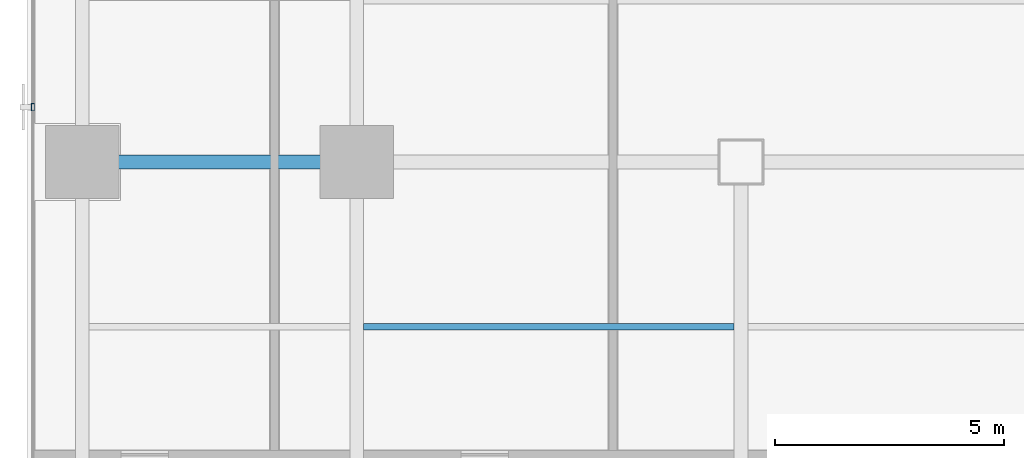
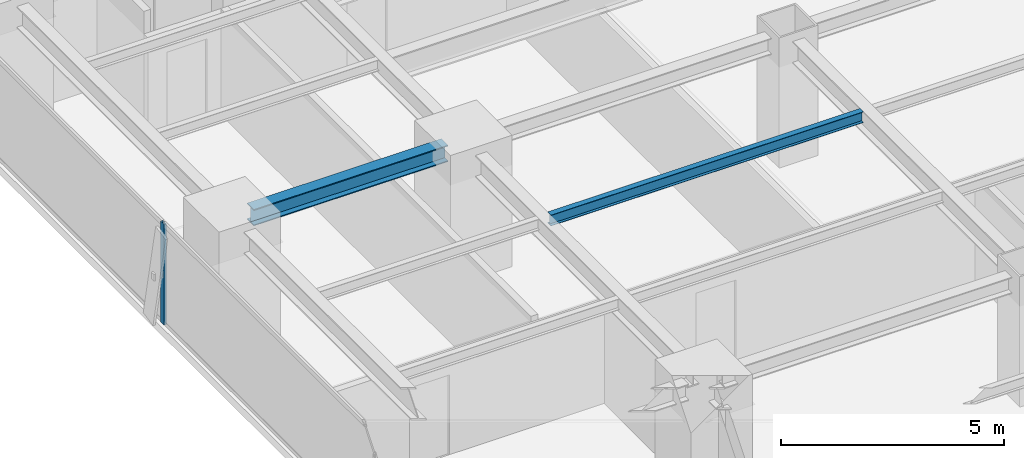
# One storey, part 7 of 28: 2 beams, 1 member, 1 element without a shape of its own.
"""IFC4 building model written with IfcOpenShell, lengths in metres."""

from ifc_helpers import new_model, si_unit, direction, frame, origin, origin_2d, place, context, subcontext, project, spatial, hollow_rectangle, i_section, extrude, source, transform, mapped, material, layer, layer_set, material_profile, profile_set, type_object, element, aggregate, save


model = new_model("IFC4")

# Units and contexts
model_context = context("Model", 3, precision=1e-05, world=origin(), true_north=direction((0.0, 1.0)))
body_context = subcontext(model_context, "Body", "Model", "MODEL_VIEW")
ifc_project = project(units=[si_unit("LENGTHUNIT", "METRE"), si_unit("AREAUNIT", "SQUARE_METRE"), si_unit("VOLUMEUNIT", "CUBIC_METRE"), si_unit("PLANEANGLEUNIT", "RADIAN"), si_unit("MASSUNIT", "GRAM", prefix="KILO")], contexts=[model_context])

# Site, building, storey
site_placement = place(None, origin())
site = spatial("IfcSite", under=ifc_project, at=site_placement, CompositionType="ELEMENT")
building_placement = place(site_placement, origin())
building = spatial("IfcBuilding", under=site, at=building_placement, Name="Sumidabori Civic Tower", CompositionType="ELEMENT")
storey_placement = place(building_placement, frame((0.0, 0.0, 171.199951171875)))
storey = spatial("IfcBuildingStorey", under=building, at=storey_placement, Name="L44", CompositionType="ELEMENT", Elevation=171.199951171875)

# Beams
ifc_material_1 = material(Name="Steel SN490", Category="steel")
ifc_material_profile_1 = material_profile(ifc_material_1, i_section(OverallWidth=0.14990234375, OverallDepth=0.300048828125, WebThickness=0.007080078125, FlangeThickness=0.0107421875, at=origin_2d()), Name="IPE 300")
ifc_profile_set_1 = profile_set([ifc_material_profile_1], Name="Steel SN490")
beam_type_1 = type_object("IfcBeamType", Name="BM-JST-300", PredefinedType="JOIST", material=ifc_profile_set_1)
shared_shape_1 = source(origin(), body_context, "Body", "SweptSolid", [
    extrude(i_section(OverallWidth=0.14990234375, OverallDepth=0.300048828125, WebThickness=0.007080078125, FlangeThickness=0.0107421875, at=origin_2d()), origin(), (0.0, 0.0, 1.0), 8.099853515625),
])
beam_1_placement = place(storey_placement, frame((-16.64990234375, -3.60009765625, 3.22998046875), z_axis=(1.0, 0.0, 0.0), x_axis=(0.0, 1.0, 0.0)))
element("IfcBeam", 1, at=beam_1_placement, inside=storey, type_object=beam_type_1, Name="South Bay Floor Joist L44 JSTS-57", PredefinedType="JOIST", context=body_context, shape_type="MappedRepresentation", body=[
    mapped(shared_shape_1, transform((0.0, 0.0, 0.0), x_axis=(1.0, 0.0, 0.0), y_axis=(0.0, 1.0, 0.0), z_axis=(0.0, 0.0, 1.0), scale=1.0)),
])
ifc_material_profile_2 = material_profile(ifc_material_1, i_section(OverallWidth=0.300048828125, OverallDepth=0.449951171875, WebThickness=0.013916015625, FlangeThickness=0.02587890625, at=origin_2d()), Name="HE 450 B")
ifc_profile_set_2 = profile_set([ifc_material_profile_2], Name="Steel SN490")
beam_type_2 = type_object("IfcBeamType", Name="BM-GIRD-450", PredefinedType="BEAM", material=ifc_profile_set_2)
shared_shape_2 = source(origin(), body_context, "Body", "SweptSolid", [
    extrude(i_section(OverallWidth=0.300048828125, OverallDepth=0.449951171875, WebThickness=0.013916015625, FlangeThickness=0.02587890625, at=origin_2d()), origin(), (0.0, 0.0, 1.0), 5.0400390625),
])
beam_2_placement = place(storey_placement, frame((-22.320068359375, 0.0, 3.155029296875), z_axis=(1.0, 0.0, 0.0), x_axis=(0.0, 1.0, 0.0)))
element("IfcBeam", 2, at=beam_2_placement, inside=storey, type_object=beam_type_2, Name="Primary Girder L44 GX-11", PredefinedType="BEAM", context=body_context, shape_type="MappedRepresentation", body=[
    mapped(shared_shape_2, transform((0.0, 0.0, 0.0), x_axis=(1.0, 0.0, 0.0), y_axis=(0.0, 1.0, 0.0), z_axis=(0.0, 0.0, 1.0), scale=1.0)),
])

# Curtain wall, member
ifc_material_2 = material(Name="Anodised Bronze Aluminium AW-6063-T6", Category="aluminium")
ifc_layer = layer(ifc_material_2, 0.179931640625, Name="Anodised Bronze Aluminium AW-6063-T6")
ifc_layer_set = layer_set([ifc_layer], Name="Anodised Bronze Aluminium AW-6063-T6")
curtain_wall_type = type_object("IfcCurtainWallType", Name="CW-SYS-3", PredefinedType="NOTDEFINED", material=ifc_layer_set)
curtain_wall_placement = place(storey_placement, origin())
curtain_wall = element("IfcCurtainWall", 3, at=curtain_wall_placement, inside=storey, type_object=curtain_wall_type, Name="Curtain Wall CW:L44:R10", PredefinedType="NOTDEFINED")
ifc_material_profile_3 = material_profile(ifc_material_2, hollow_rectangle(XDim=0.06494140625, YDim=0.159912109375, WallThickness=0.0048828125, at=origin_2d()), Name="ALU MULLION 160x65")
ifc_profile_set_3 = profile_set([ifc_material_profile_3], Name="Anodised Bronze Aluminium AW-6063-T6")
member_type = type_object("IfcMemberType", Name="CW-MUL-160", PredefinedType="MULLION", material=ifc_profile_set_3)
shared_shape_3 = source(origin(), body_context, "Body", "SweptSolid", [
    extrude(hollow_rectangle(XDim=0.06494140625, YDim=0.159912109375, WallThickness=0.0048828125, at=origin_2d()), origin(), (0.0, 0.0, 1.0), 2.760009765625),
])
member_placement = place(storey_placement, frame((-23.8798828125, 1.199951171875, 0.0), z_axis=(0.0, 0.0, 1.0), x_axis=(1.0, 0.0, 0.0)))
member = element("IfcMember", 4, at=member_placement, type_object=member_type, Name="CW-3 mullion 3", PredefinedType="MULLION", context=body_context, shape_type="MappedRepresentation", body=[
    mapped(shared_shape_3, transform((0.0, 0.0, 0.0), x_axis=(1.0, 0.0, 0.0), y_axis=(0.0, 1.0, 0.0), z_axis=(0.0, 0.0, 1.0), scale=1.0)),
])
aggregate(curtain_wall, [member])

save(model, "model.ifc")
